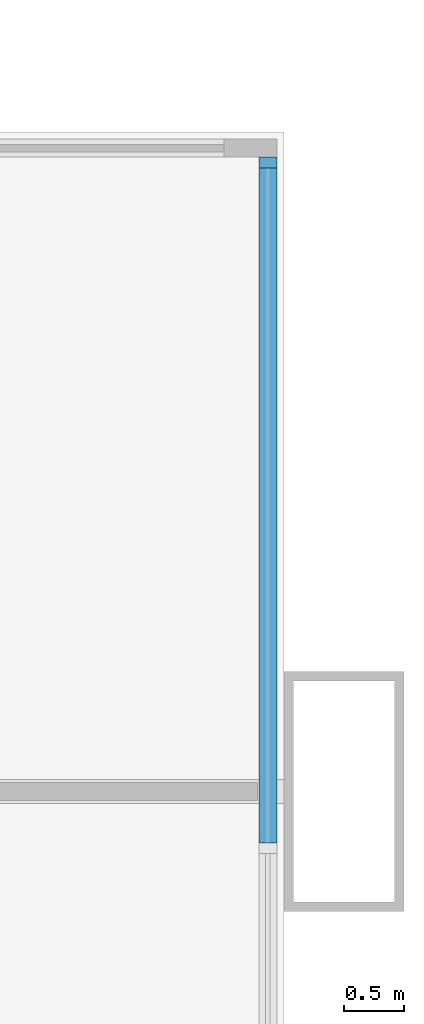
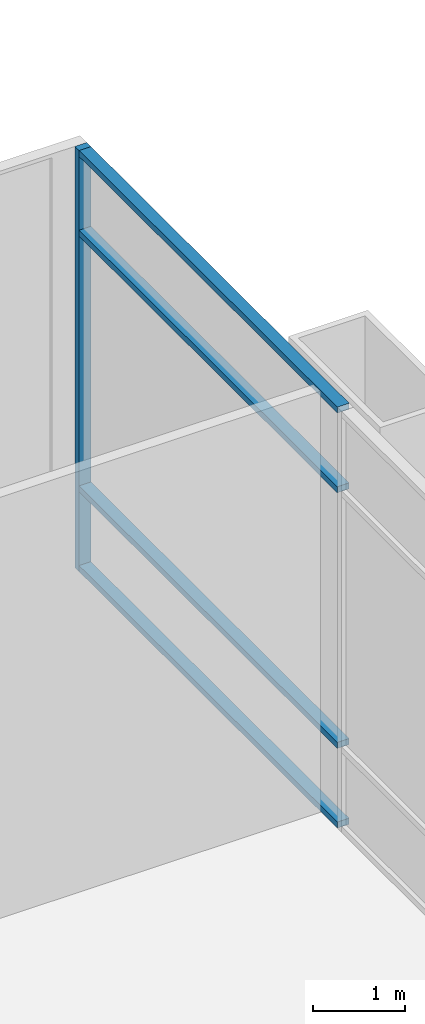
# One storey, part 14 of 25: 5 members, 1 element without a shape of its own.
"""IFC4 building model written with IfcOpenShell, lengths in metres."""

from ifc_helpers import new_model, si_unit, direction, frame, origin, origin_2d, place, context, subcontext, project, spatial, rectangle, extrude, material, material_profile, profile_set, type_object, element, aggregate, save


model = new_model("IFC4")

# Units and contexts
model_context = context("Model", 3, precision=1e-05, world=origin(), true_north=direction((0.0, 1.0)))
body_context = subcontext(model_context, "Body", "Model", "MODEL_VIEW")
ifc_project = project(units=[si_unit("LENGTHUNIT", "METRE"), si_unit("AREAUNIT", "SQUARE_METRE"), si_unit("VOLUMEUNIT", "CUBIC_METRE"), si_unit("PLANEANGLEUNIT", "RADIAN"), si_unit("MASSUNIT", "GRAM", prefix="KILO")], contexts=[model_context])

# Site, building, storey
site_placement = place(None, origin())
site = spatial("IfcSite", under=ifc_project, at=site_placement, CompositionType="ELEMENT")
building_placement = place(site_placement, origin())
building = spatial("IfcBuilding", under=site, at=building_placement, Name="Kitamizu Gate Tower and Museum", CompositionType="ELEMENT")
storey_placement = place(building_placement, frame((0.0, 0.0, 18.0)))
storey = spatial("IfcBuildingStorey", under=building, at=storey_placement, Name="L03", CompositionType="ELEMENT", Elevation=18.0)

# Curtain wall, members
ifc_material_1 = material(Name="Bronze anodised aluminium frame, tinted triple glazing", Category="aluminium")
curtain_wall_type = type_object("IfcCurtainWallType", Name="CURTAIN WALL TYPE A PODIUM", PredefinedType="NOTDEFINED", material=ifc_material_1)
curtain_wall_placement = place(storey_placement, origin())
curtain_wall = element("IfcCurtainWall", 1, at=curtain_wall_placement, inside=storey, type_object=curtain_wall_type, Name="Curtain wall CW-A east L03", PredefinedType="NOTDEFINED")
ifc_material_2 = material(Name="Bronze anodised aluminium", Category="aluminium")
ifc_material_profile_1 = material_profile(ifc_material_2, rectangle(XDim=0.090087890625, YDim=0.14990234375, at=origin_2d()), Name="AL 90X150")
ifc_profile_set_1 = profile_set([ifc_material_profile_1], Name="Bronze anodised aluminium")
member_type_1 = type_object("IfcMemberType", Name="MULLION 90 X 150 TYPE A", PredefinedType="MULLION", material=ifc_profile_set_1)
member_1_placement = place(storey_placement, frame((71.364990234375, 41.2451171875, 0.0), z_axis=(0.0, 0.0, 1.0), x_axis=(0.0, 1.0, 0.0)))
member_1 = element("IfcMember", 2, at=member_1_placement, type_object=member_type_1, Name="CW-A mullion 7", PredefinedType="MULLION", context=body_context, shape_type="SweptSolid", body=[
    extrude(rectangle(XDim=0.090087890625, YDim=0.14990234375, at=origin_2d()), origin(), (0.0, 0.0, 1.0), 5.60009765625),
])
ifc_material_3 = material(Name="Bronze anodised aluminium", Category="aluminium")
ifc_material_profile_2 = material_profile(ifc_material_3, rectangle(XDim=0.14990234375, YDim=0.080078125, at=origin_2d()), Name="AL 80X150")
ifc_profile_set_2 = profile_set([ifc_material_profile_2], Name="Bronze anodised aluminium")
member_type_2 = type_object("IfcMemberType", Name="TRANSOM 80 X 150 TYPE A", PredefinedType="USERDEFINED", material=ifc_profile_set_2)
member_2_placement = place(storey_placement, frame((71.364990234375, 35.57177734375, 0.0400390625), z_axis=(0.0, 1.0, 0.0), x_axis=(-1.0, 0.0, 0.0)))
member_2 = element("IfcMember", 3, at=member_2_placement, type_object=member_type_2, Name="CW-A transom 6.1", ObjectType="TRANSOM", PredefinedType="USERDEFINED", context=body_context, shape_type="SweptSolid", body=[
    extrude(rectangle(XDim=0.14990234375, YDim=0.080078125, at=origin_2d()), origin(), (0.0, 0.0, 1.0), 5.628173828125),
])
member_3_placement = place(storey_placement, frame((71.364990234375, 35.57177734375, 1.10009765625), z_axis=(0.0, 1.0, 0.0), x_axis=(-1.0, 0.0, 0.0)))
member_3 = element("IfcMember", 4, at=member_3_placement, type_object=member_type_2, Name="CW-A transom 6.2", ObjectType="TRANSOM", PredefinedType="USERDEFINED", context=body_context, shape_type="SweptSolid", body=[
    extrude(rectangle(XDim=0.14990234375, YDim=0.080078125, at=origin_2d()), origin(), (0.0, 0.0, 1.0), 5.628173828125),
])
member_4_placement = place(storey_placement, frame((71.364990234375, 35.57177734375, 4.5), z_axis=(0.0, 1.0, 0.0), x_axis=(-1.0, 0.0, 0.0)))
member_4 = element("IfcMember", 5, at=member_4_placement, type_object=member_type_2, Name="CW-A transom 6.3", ObjectType="TRANSOM", PredefinedType="USERDEFINED", context=body_context, shape_type="SweptSolid", body=[
    extrude(rectangle(XDim=0.14990234375, YDim=0.080078125, at=origin_2d()), origin(), (0.0, 0.0, 1.0), 5.628173828125),
])
member_5_placement = place(storey_placement, frame((71.364990234375, 35.57177734375, 5.56005859375), z_axis=(0.0, 1.0, 0.0), x_axis=(-1.0, 0.0, 0.0)))
member_5 = element("IfcMember", 6, at=member_5_placement, type_object=member_type_2, Name="CW-A transom 6.4", ObjectType="TRANSOM", PredefinedType="USERDEFINED", context=body_context, shape_type="SweptSolid", body=[
    extrude(rectangle(XDim=0.14990234375, YDim=0.080078125, at=origin_2d()), origin(), (0.0, 0.0, 1.0), 5.628173828125),
])
aggregate(curtain_wall, [member_1, member_2, member_3, member_4, member_5])

save(model, "model.ifc")
